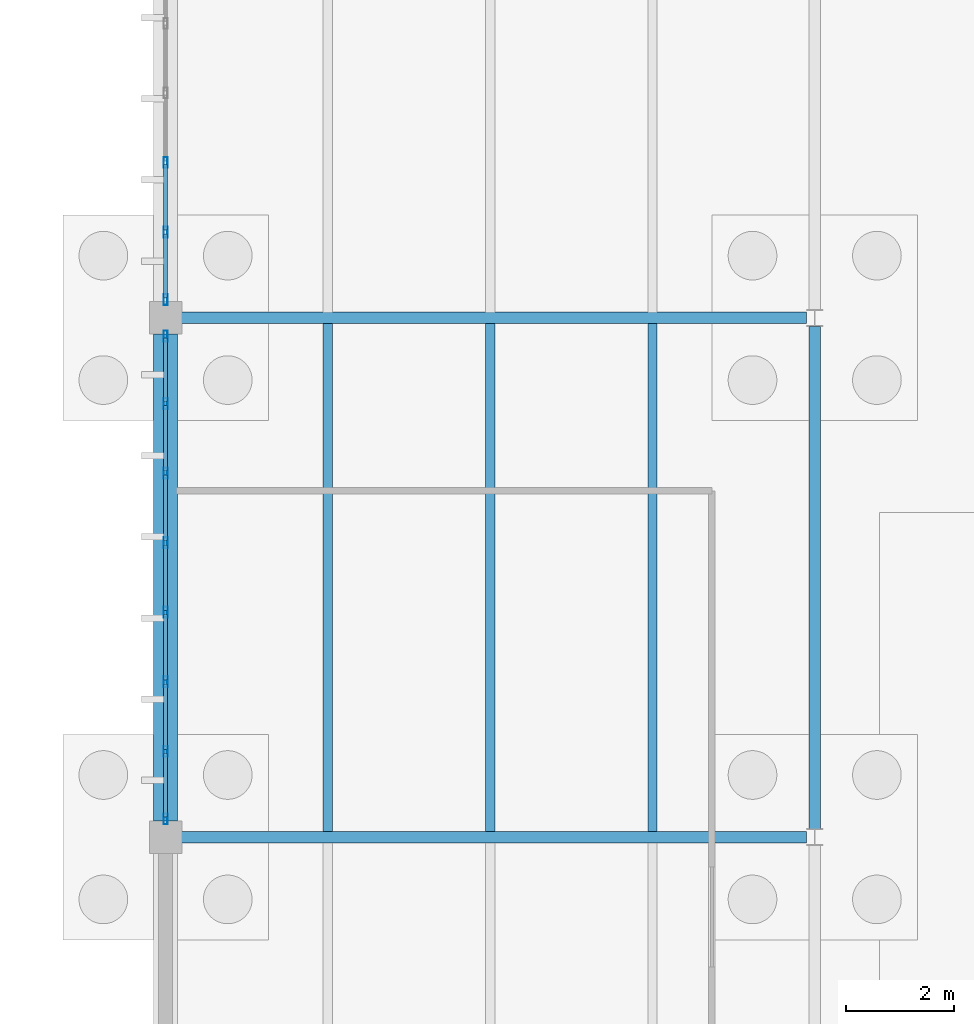
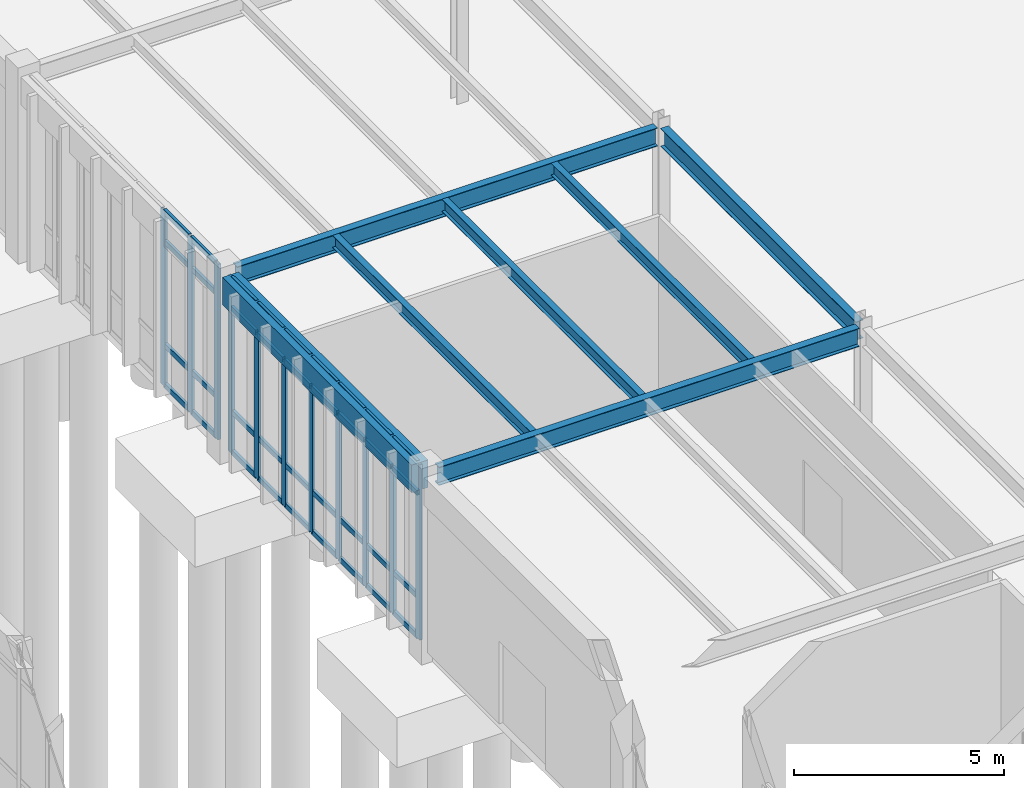
# One storey, part 52 of 188: 47 members, 7 beams, 2 elements without a shape of their own.
"""IFC4 building model written with IfcOpenShell, lengths in metres."""

from ifc_helpers import new_model, si_unit, direction, frame, origin, origin_2d, place, context, subcontext, project, spatial, rectangle, hollow_rectangle, i_section, extrude, material, layer, layer_set, material_profile, profile_set, type_object, element, aggregate, save


model = new_model("IFC4")

# Units and contexts
model_context = context("Model", 3, precision=1e-05, world=origin(), true_north=direction((0.0, 1.0)))
body_context = subcontext(model_context, "Body", "Model", "MODEL_VIEW")
ifc_project = project(units=[si_unit("LENGTHUNIT", "METRE"), si_unit("AREAUNIT", "SQUARE_METRE"), si_unit("VOLUMEUNIT", "CUBIC_METRE"), si_unit("PLANEANGLEUNIT", "RADIAN"), si_unit("MASSUNIT", "GRAM", prefix="KILO")], contexts=[model_context])

# Site, building, storey
site_placement = place(None, origin())
site = spatial("IfcSite", under=ifc_project, at=site_placement, CompositionType="ELEMENT")
building_placement = place(site_placement, origin())
building = spatial("IfcBuilding", under=site, at=building_placement, Name="Pandanus Reach Market Hall", CompositionType="ELEMENT")
storey_placement = place(building_placement, origin())
storey = spatial("IfcBuildingStorey", under=building, at=storey_placement, Name="L00", CompositionType="ELEMENT", Elevation=0.0)

# Beams
ifc_material_1 = material(Name="Concrete N40 (40 MPa)", Category="concrete")
ifc_material_profile_1 = material_profile(ifc_material_1, rectangle(XDim=0.449951171875, YDim=0.800048828125, at=origin_2d()), Name="RC450x800", Category="LoadBearing")
ifc_profile_set_1 = profile_set([ifc_material_profile_1], Name="Concrete N40 (40 MPa)")
beam_type_1 = type_object("IfcBeamType", Name="BM-RC450-E", PredefinedType="SPANDREL", material=ifc_profile_set_1)
beam_1_placement = place(storey_placement, frame((48.0, 48.298095703125, 4.719970703125), z_axis=(0.0, 1.0, 0.0), x_axis=(-1.0, 0.0, 0.0)))
element("IfcBeam", 1, at=beam_1_placement, inside=storey, type_object=beam_type_1, Name="Framing beam BM-RC450-E L00.1090", PredefinedType="SPANDREL", context=body_context, shape_type="SweptSolid", body=[
    extrude(rectangle(XDim=0.449951171875, YDim=0.800048828125, at=origin_2d()), origin(), (0.0, 0.0, 1.0), 9.00390625),
])
ifc_material_2 = material(Name="Steel Grade 350 (350 MPa)", Category="steel")
ifc_material_profile_2 = material_profile(ifc_material_2, i_section(OverallWidth=0.208984375, OverallDepth=0.532958984375, WebThickness=0.01025390625, FlangeThickness=0.015625, at=origin_2d()), Name="530UB92.4", Category="LoadBearing")
ifc_profile_set_2 = profile_set([ifc_material_profile_2], Name="Steel Grade 350 (350 MPa)")
beam_type_2 = type_object("IfcBeamType", Name="BM-UB530-I", PredefinedType="BEAM", material=ifc_profile_set_2)
for number, where, z_axis, x_axis, name in (
    (2, (48.298095703125, 48.0, 4.85302734375), (1.0, 0.0, 0.0), (0.0, 1.0, 0.0), "Framing beam BM-UB530-I L00.1082"),
    (3, (48.298095703125, 57.60009765625, 4.85302734375), (1.0, 0.0, 0.0), (0.0, 1.0, 0.0), "Framing beam BM-UB530-I L00.1083"),
):
    element("IfcBeam", number, at=place(storey_placement, frame(where, z_axis=z_axis, x_axis=x_axis)), inside=storey, type_object=beam_type_2, Name=name, PredefinedType="BEAM", context=body_context, shape_type="SweptSolid", body=[
        extrude(i_section(OverallWidth=0.208984375, OverallDepth=0.532958984375, WebThickness=0.01025390625, FlangeThickness=0.015625, at=origin_2d()), origin(), (0.0, 0.0, 1.0), 11.54638671875),
    ])
beam_2_placement = place(storey_placement, frame((60.0, 48.155517578125, 4.85302734375), z_axis=(0.0, 1.0, 0.0), x_axis=(-1.0, 0.0, 0.0)))
element("IfcBeam", 4, at=beam_2_placement, inside=storey, type_object=beam_type_2, Name="Framing beam BM-UB530-I L00.1091", PredefinedType="BEAM", context=body_context, shape_type="SweptSolid", body=[
    extrude(i_section(OverallWidth=0.208984375, OverallDepth=0.532958984375, WebThickness=0.01025390625, FlangeThickness=0.015625, at=origin_2d()), origin(), (0.0, 0.0, 1.0), 9.2890625),
])

# Curtain wall, members
ifc_material_3 = material(Name="Bronze anodised aluminium and low-E glass", Category="aluminium")
ifc_layer = layer(ifc_material_3, 0.199951171875, Name="CW-06")
ifc_layer_set = layer_set([ifc_layer], Name="Bronze anodised aluminium and low-E glass")
curtain_wall_type = type_object("IfcCurtainWallType", Name="CW-06", PredefinedType="NOTDEFINED", material=ifc_layer_set)
curtain_wall_1_placement = place(storey_placement, origin())
curtain_wall_1 = element("IfcCurtainWall", 5, at=curtain_wall_1_placement, inside=storey, type_object=curtain_wall_type, Name="Glazed curtain wall CW-06 CW-0024", PredefinedType="NOTDEFINED")
ifc_material_4 = material(Name="Bronze anodised aluminium", Category="aluminium")
ifc_material_profile_3 = material_profile(ifc_material_4, hollow_rectangle(XDim=0.074951171875, YDim=0.199951171875, WallThickness=0.00439453125, at=origin_2d()), Name="ALU75x200", Category="LoadBearing")
ifc_profile_set_3 = profile_set([ifc_material_profile_3], Name="Bronze anodised aluminium")
member_type_1 = type_object("IfcMemberType", Name="CW-M2", PredefinedType="MULLION", material=ifc_profile_set_3)
member_1_placement = place(storey_placement, frame((48.0, 48.33740234375, 0.0), z_axis=(0.0, 0.0, 1.0), x_axis=(-1.0, 0.0, 0.0)))
member_1 = element("IfcMember", 6, at=member_1_placement, type_object=member_type_1, Name="CW-06 mullion 1", PredefinedType="MULLION", context=body_context, shape_type="SweptSolid", body=[
    extrude(hollow_rectangle(XDim=0.074951171875, YDim=0.199951171875, WallThickness=0.00439453125, at=origin_2d()), origin(), (0.0, 0.0, 1.0), 5.10009765625),
])
member_2_placement = place(storey_placement, frame((48.0, 49.585693359375, 0.0), z_axis=(0.0, 0.0, 1.0), x_axis=(-1.0, 0.0, 0.0)))
member_2 = element("IfcMember", 7, at=member_2_placement, type_object=member_type_1, Name="CW-06 mullion 2", PredefinedType="MULLION", context=body_context, shape_type="SweptSolid", body=[
    extrude(hollow_rectangle(XDim=0.074951171875, YDim=0.199951171875, WallThickness=0.00439453125, at=origin_2d()), origin(), (0.0, 0.0, 1.0), 5.10009765625),
])
member_3_placement = place(storey_placement, frame((48.0, 50.871337890625, 0.0), z_axis=(0.0, 0.0, 1.0), x_axis=(-1.0, 0.0, 0.0)))
member_3 = element("IfcMember", 8, at=member_3_placement, type_object=member_type_1, Name="CW-06 mullion 3", PredefinedType="MULLION", context=body_context, shape_type="SweptSolid", body=[
    extrude(hollow_rectangle(XDim=0.074951171875, YDim=0.199951171875, WallThickness=0.00439453125, at=origin_2d()), origin(), (0.0, 0.0, 1.0), 5.10009765625),
])
member_4_placement = place(storey_placement, frame((48.0, 52.1572265625, 0.0), z_axis=(0.0, 0.0, 1.0), x_axis=(-1.0, 0.0, 0.0)))
member_4 = element("IfcMember", 9, at=member_4_placement, type_object=member_type_1, Name="CW-06 mullion 4", PredefinedType="MULLION", context=body_context, shape_type="SweptSolid", body=[
    extrude(hollow_rectangle(XDim=0.074951171875, YDim=0.199951171875, WallThickness=0.00439453125, at=origin_2d()), origin(), (0.0, 0.0, 1.0), 5.10009765625),
])
member_5_placement = place(storey_placement, frame((48.0, 53.44287109375, 0.0), z_axis=(0.0, 0.0, 1.0), x_axis=(-1.0, 0.0, 0.0)))
member_5 = element("IfcMember", 10, at=member_5_placement, type_object=member_type_1, Name="CW-06 mullion 5", PredefinedType="MULLION", context=body_context, shape_type="SweptSolid", body=[
    extrude(hollow_rectangle(XDim=0.074951171875, YDim=0.199951171875, WallThickness=0.00439453125, at=origin_2d()), origin(), (0.0, 0.0, 1.0), 5.10009765625),
])
member_6_placement = place(storey_placement, frame((48.0, 54.728515625, 0.0), z_axis=(0.0, 0.0, 1.0), x_axis=(-1.0, 0.0, 0.0)))
member_6 = element("IfcMember", 11, at=member_6_placement, type_object=member_type_1, Name="CW-06 mullion 6", PredefinedType="MULLION", context=body_context, shape_type="SweptSolid", body=[
    extrude(hollow_rectangle(XDim=0.074951171875, YDim=0.199951171875, WallThickness=0.00439453125, at=origin_2d()), origin(), (0.0, 0.0, 1.0), 5.10009765625),
])
member_7_placement = place(storey_placement, frame((48.0, 56.014404296875, 0.0), z_axis=(0.0, 0.0, 1.0), x_axis=(-1.0, 0.0, 0.0)))
member_7 = element("IfcMember", 12, at=member_7_placement, type_object=member_type_1, Name="CW-06 mullion 7", PredefinedType="MULLION", context=body_context, shape_type="SweptSolid", body=[
    extrude(hollow_rectangle(XDim=0.074951171875, YDim=0.199951171875, WallThickness=0.00439453125, at=origin_2d()), origin(), (0.0, 0.0, 1.0), 5.10009765625),
])
member_8_placement = place(storey_placement, frame((48.0, 57.262451171875, 0.0), z_axis=(0.0, 0.0, 1.0), x_axis=(-1.0, 0.0, 0.0)))
member_8 = element("IfcMember", 13, at=member_8_placement, type_object=member_type_1, Name="CW-06 mullion 8", PredefinedType="MULLION", context=body_context, shape_type="SweptSolid", body=[
    extrude(hollow_rectangle(XDim=0.074951171875, YDim=0.199951171875, WallThickness=0.00439453125, at=origin_2d()), origin(), (0.0, 0.0, 1.0), 5.10009765625),
])

curtain_wall_2_placement = place(storey_placement, origin())
curtain_wall_2 = element("IfcCurtainWall", 14, at=curtain_wall_2_placement, inside=storey, type_object=curtain_wall_type, Name="Glazed curtain wall CW-06 CW-0028", PredefinedType="NOTDEFINED")
member_9_placement = place(storey_placement, frame((48.0, 57.9375, 0.0), z_axis=(0.0, 0.0, 1.0), x_axis=(-1.0, 0.0, 0.0)))
member_9 = element("IfcMember", 15, at=member_9_placement, type_object=member_type_1, Name="CW-06 mullion 1", PredefinedType="MULLION", context=body_context, shape_type="SweptSolid", body=[
    extrude(hollow_rectangle(XDim=0.074951171875, YDim=0.199951171875, WallThickness=0.00439453125, at=origin_2d()), origin(), (0.0, 0.0, 1.0), 5.10009765625),
])
member_10_placement = place(storey_placement, frame((48.0, 59.185791015625, 0.0), z_axis=(0.0, 0.0, 1.0), x_axis=(-1.0, 0.0, 0.0)))
member_10 = element("IfcMember", 16, at=member_10_placement, type_object=member_type_1, Name="CW-06 mullion 2", PredefinedType="MULLION", context=body_context, shape_type="SweptSolid", body=[
    extrude(hollow_rectangle(XDim=0.074951171875, YDim=0.199951171875, WallThickness=0.00439453125, at=origin_2d()), origin(), (0.0, 0.0, 1.0), 5.10009765625),
])
member_11_placement = place(storey_placement, frame((48.0, 60.471435546875, 0.0), z_axis=(0.0, 0.0, 1.0), x_axis=(-1.0, 0.0, 0.0)))
member_11 = element("IfcMember", 17, at=member_11_placement, type_object=member_type_1, Name="CW-06 mullion 3", PredefinedType="MULLION", context=body_context, shape_type="SweptSolid", body=[
    extrude(hollow_rectangle(XDim=0.074951171875, YDim=0.199951171875, WallThickness=0.00439453125, at=origin_2d()), origin(), (0.0, 0.0, 1.0), 5.10009765625),
])

# Member
ifc_material_profile_4 = material_profile(ifc_material_4, hollow_rectangle(XDim=0.074951171875, YDim=0.14990234375, WallThickness=0.00439453125, at=origin_2d()), Name="ALU75x150", Category="LoadBearing")
ifc_profile_set_4 = profile_set([ifc_material_profile_4], Name="Bronze anodised aluminium")
member_type_2 = type_object("IfcMemberType", Name="CW-T2", PredefinedType="USERDEFINED", material=ifc_profile_set_4)
member_12_placement = place(storey_placement, frame((48.0, 48.375, 0.03759765625), z_axis=(0.0, 1.0, 0.0), x_axis=(-1.0, 0.0, 0.0)))
member_12 = element("IfcMember", 18, at=member_12_placement, type_object=member_type_2, Name="CW-06 transom 1.1", ObjectType="TRANSOM", PredefinedType="USERDEFINED", context=body_context, shape_type="SweptSolid", body=[
    extrude(hollow_rectangle(XDim=0.074951171875, YDim=0.14990234375, WallThickness=0.00439453125, at=origin_2d()), origin(), (0.0, 0.0, 1.0), 1.173095703125),
])

member_13_placement = place(storey_placement, frame((48.0, 48.375, 1.199951171875), z_axis=(0.0, 1.0, 0.0), x_axis=(-1.0, 0.0, 0.0)))
member_13 = element("IfcMember", 19, at=member_13_placement, type_object=member_type_2, Name="CW-06 transom 1.2", ObjectType="TRANSOM", PredefinedType="USERDEFINED", context=body_context, shape_type="SweptSolid", body=[
    extrude(hollow_rectangle(XDim=0.074951171875, YDim=0.14990234375, WallThickness=0.00439453125, at=origin_2d()), origin(), (0.0, 0.0, 1.0), 1.173095703125),
])

member_14_placement = place(storey_placement, frame((48.0, 48.375, 4.199951171875), z_axis=(0.0, 1.0, 0.0), x_axis=(-1.0, 0.0, 0.0)))
member_14 = element("IfcMember", 20, at=member_14_placement, type_object=member_type_2, Name="CW-06 transom 1.3", ObjectType="TRANSOM", PredefinedType="USERDEFINED", context=body_context, shape_type="SweptSolid", body=[
    extrude(hollow_rectangle(XDim=0.074951171875, YDim=0.14990234375, WallThickness=0.00439453125, at=origin_2d()), origin(), (0.0, 0.0, 1.0), 1.173095703125),
])

member_15_placement = place(storey_placement, frame((48.0, 48.375, 5.0625), z_axis=(0.0, 1.0, 0.0), x_axis=(-1.0, 0.0, 0.0)))
member_15 = element("IfcMember", 21, at=member_15_placement, type_object=member_type_2, Name="CW-06 transom 1.4", ObjectType="TRANSOM", PredefinedType="USERDEFINED", context=body_context, shape_type="SweptSolid", body=[
    extrude(hollow_rectangle(XDim=0.074951171875, YDim=0.14990234375, WallThickness=0.00439453125, at=origin_2d()), origin(), (0.0, 0.0, 1.0), 1.173095703125),
])

member_16_placement = place(storey_placement, frame((48.0, 49.623291015625, 0.03759765625), z_axis=(0.0, 1.0, 0.0), x_axis=(-1.0, 0.0, 0.0)))
member_16 = element("IfcMember", 22, at=member_16_placement, type_object=member_type_2, Name="CW-06 transom 2.1", ObjectType="TRANSOM", PredefinedType="USERDEFINED", context=body_context, shape_type="SweptSolid", body=[
    extrude(hollow_rectangle(XDim=0.074951171875, YDim=0.14990234375, WallThickness=0.00439453125, at=origin_2d()), origin(), (0.0, 0.0, 1.0), 1.210693359375),
])

member_17_placement = place(storey_placement, frame((48.0, 49.623291015625, 1.199951171875), z_axis=(0.0, 1.0, 0.0), x_axis=(-1.0, 0.0, 0.0)))
member_17 = element("IfcMember", 23, at=member_17_placement, type_object=member_type_2, Name="CW-06 transom 2.2", ObjectType="TRANSOM", PredefinedType="USERDEFINED", context=body_context, shape_type="SweptSolid", body=[
    extrude(hollow_rectangle(XDim=0.074951171875, YDim=0.14990234375, WallThickness=0.00439453125, at=origin_2d()), origin(), (0.0, 0.0, 1.0), 1.210693359375),
])

member_18_placement = place(storey_placement, frame((48.0, 49.623291015625, 4.199951171875), z_axis=(0.0, 1.0, 0.0), x_axis=(-1.0, 0.0, 0.0)))
member_18 = element("IfcMember", 24, at=member_18_placement, type_object=member_type_2, Name="CW-06 transom 2.3", ObjectType="TRANSOM", PredefinedType="USERDEFINED", context=body_context, shape_type="SweptSolid", body=[
    extrude(hollow_rectangle(XDim=0.074951171875, YDim=0.14990234375, WallThickness=0.00439453125, at=origin_2d()), origin(), (0.0, 0.0, 1.0), 1.210693359375),
])

member_19_placement = place(storey_placement, frame((48.0, 49.623291015625, 5.0625), z_axis=(0.0, 1.0, 0.0), x_axis=(-1.0, 0.0, 0.0)))
member_19 = element("IfcMember", 25, at=member_19_placement, type_object=member_type_2, Name="CW-06 transom 2.4", ObjectType="TRANSOM", PredefinedType="USERDEFINED", context=body_context, shape_type="SweptSolid", body=[
    extrude(hollow_rectangle(XDim=0.074951171875, YDim=0.14990234375, WallThickness=0.00439453125, at=origin_2d()), origin(), (0.0, 0.0, 1.0), 1.210693359375),
])

member_20_placement = place(storey_placement, frame((48.0, 50.908935546875, 0.03759765625), z_axis=(0.0, 1.0, 0.0), x_axis=(-1.0, 0.0, 0.0)))
member_20 = element("IfcMember", 26, at=member_20_placement, type_object=member_type_2, Name="CW-06 transom 3.1", ObjectType="TRANSOM", PredefinedType="USERDEFINED", context=body_context, shape_type="SweptSolid", body=[
    extrude(hollow_rectangle(XDim=0.074951171875, YDim=0.14990234375, WallThickness=0.00439453125, at=origin_2d()), origin(), (0.0, 0.0, 1.0), 1.210693359375),
])

member_21_placement = place(storey_placement, frame((48.0, 50.908935546875, 1.199951171875), z_axis=(0.0, 1.0, 0.0), x_axis=(-1.0, 0.0, 0.0)))
member_21 = element("IfcMember", 27, at=member_21_placement, type_object=member_type_2, Name="CW-06 transom 3.2", ObjectType="TRANSOM", PredefinedType="USERDEFINED", context=body_context, shape_type="SweptSolid", body=[
    extrude(hollow_rectangle(XDim=0.074951171875, YDim=0.14990234375, WallThickness=0.00439453125, at=origin_2d()), origin(), (0.0, 0.0, 1.0), 1.210693359375),
])

member_22_placement = place(storey_placement, frame((48.0, 50.908935546875, 4.199951171875), z_axis=(0.0, 1.0, 0.0), x_axis=(-1.0, 0.0, 0.0)))
member_22 = element("IfcMember", 28, at=member_22_placement, type_object=member_type_2, Name="CW-06 transom 3.3", ObjectType="TRANSOM", PredefinedType="USERDEFINED", context=body_context, shape_type="SweptSolid", body=[
    extrude(hollow_rectangle(XDim=0.074951171875, YDim=0.14990234375, WallThickness=0.00439453125, at=origin_2d()), origin(), (0.0, 0.0, 1.0), 1.210693359375),
])

member_23_placement = place(storey_placement, frame((48.0, 50.908935546875, 5.0625), z_axis=(0.0, 1.0, 0.0), x_axis=(-1.0, 0.0, 0.0)))
member_23 = element("IfcMember", 29, at=member_23_placement, type_object=member_type_2, Name="CW-06 transom 3.4", ObjectType="TRANSOM", PredefinedType="USERDEFINED", context=body_context, shape_type="SweptSolid", body=[
    extrude(hollow_rectangle(XDim=0.074951171875, YDim=0.14990234375, WallThickness=0.00439453125, at=origin_2d()), origin(), (0.0, 0.0, 1.0), 1.210693359375),
])

member_24_placement = place(storey_placement, frame((48.0, 52.194580078125, 0.03759765625), z_axis=(0.0, 1.0, 0.0), x_axis=(-1.0, 0.0, 0.0)))
member_24 = element("IfcMember", 30, at=member_24_placement, type_object=member_type_2, Name="CW-06 transom 4.1", ObjectType="TRANSOM", PredefinedType="USERDEFINED", context=body_context, shape_type="SweptSolid", body=[
    extrude(hollow_rectangle(XDim=0.074951171875, YDim=0.14990234375, WallThickness=0.00439453125, at=origin_2d()), origin(), (0.0, 0.0, 1.0), 1.210693359375),
])

member_25_placement = place(storey_placement, frame((48.0, 52.194580078125, 1.199951171875), z_axis=(0.0, 1.0, 0.0), x_axis=(-1.0, 0.0, 0.0)))
member_25 = element("IfcMember", 31, at=member_25_placement, type_object=member_type_2, Name="CW-06 transom 4.2", ObjectType="TRANSOM", PredefinedType="USERDEFINED", context=body_context, shape_type="SweptSolid", body=[
    extrude(hollow_rectangle(XDim=0.074951171875, YDim=0.14990234375, WallThickness=0.00439453125, at=origin_2d()), origin(), (0.0, 0.0, 1.0), 1.210693359375),
])

member_26_placement = place(storey_placement, frame((48.0, 52.194580078125, 4.199951171875), z_axis=(0.0, 1.0, 0.0), x_axis=(-1.0, 0.0, 0.0)))
member_26 = element("IfcMember", 32, at=member_26_placement, type_object=member_type_2, Name="CW-06 transom 4.3", ObjectType="TRANSOM", PredefinedType="USERDEFINED", context=body_context, shape_type="SweptSolid", body=[
    extrude(hollow_rectangle(XDim=0.074951171875, YDim=0.14990234375, WallThickness=0.00439453125, at=origin_2d()), origin(), (0.0, 0.0, 1.0), 1.210693359375),
])

member_27_placement = place(storey_placement, frame((48.0, 52.194580078125, 5.0625), z_axis=(0.0, 1.0, 0.0), x_axis=(-1.0, 0.0, 0.0)))
member_27 = element("IfcMember", 33, at=member_27_placement, type_object=member_type_2, Name="CW-06 transom 4.4", ObjectType="TRANSOM", PredefinedType="USERDEFINED", context=body_context, shape_type="SweptSolid", body=[
    extrude(hollow_rectangle(XDim=0.074951171875, YDim=0.14990234375, WallThickness=0.00439453125, at=origin_2d()), origin(), (0.0, 0.0, 1.0), 1.210693359375),
])

member_28_placement = place(storey_placement, frame((48.0, 53.48046875, 0.03759765625), z_axis=(0.0, 1.0, 0.0), x_axis=(-1.0, 0.0, 0.0)))
member_28 = element("IfcMember", 34, at=member_28_placement, type_object=member_type_2, Name="CW-06 transom 5.1", ObjectType="TRANSOM", PredefinedType="USERDEFINED", context=body_context, shape_type="SweptSolid", body=[
    extrude(hollow_rectangle(XDim=0.074951171875, YDim=0.14990234375, WallThickness=0.00439453125, at=origin_2d()), origin(), (0.0, 0.0, 1.0), 1.210693359375),
])

member_29_placement = place(storey_placement, frame((48.0, 53.48046875, 1.199951171875), z_axis=(0.0, 1.0, 0.0), x_axis=(-1.0, 0.0, 0.0)))
member_29 = element("IfcMember", 35, at=member_29_placement, type_object=member_type_2, Name="CW-06 transom 5.2", ObjectType="TRANSOM", PredefinedType="USERDEFINED", context=body_context, shape_type="SweptSolid", body=[
    extrude(hollow_rectangle(XDim=0.074951171875, YDim=0.14990234375, WallThickness=0.00439453125, at=origin_2d()), origin(), (0.0, 0.0, 1.0), 1.210693359375),
])

member_30_placement = place(storey_placement, frame((48.0, 53.48046875, 4.199951171875), z_axis=(0.0, 1.0, 0.0), x_axis=(-1.0, 0.0, 0.0)))
member_30 = element("IfcMember", 36, at=member_30_placement, type_object=member_type_2, Name="CW-06 transom 5.3", ObjectType="TRANSOM", PredefinedType="USERDEFINED", context=body_context, shape_type="SweptSolid", body=[
    extrude(hollow_rectangle(XDim=0.074951171875, YDim=0.14990234375, WallThickness=0.00439453125, at=origin_2d()), origin(), (0.0, 0.0, 1.0), 1.210693359375),
])

member_31_placement = place(storey_placement, frame((48.0, 53.48046875, 5.0625), z_axis=(0.0, 1.0, 0.0), x_axis=(-1.0, 0.0, 0.0)))
member_31 = element("IfcMember", 37, at=member_31_placement, type_object=member_type_2, Name="CW-06 transom 5.4", ObjectType="TRANSOM", PredefinedType="USERDEFINED", context=body_context, shape_type="SweptSolid", body=[
    extrude(hollow_rectangle(XDim=0.074951171875, YDim=0.14990234375, WallThickness=0.00439453125, at=origin_2d()), origin(), (0.0, 0.0, 1.0), 1.210693359375),
])

member_32_placement = place(storey_placement, frame((48.0, 54.76611328125, 0.03759765625), z_axis=(0.0, 1.0, 0.0), x_axis=(-1.0, 0.0, 0.0)))
member_32 = element("IfcMember", 38, at=member_32_placement, type_object=member_type_2, Name="CW-06 transom 6.1", ObjectType="TRANSOM", PredefinedType="USERDEFINED", context=body_context, shape_type="SweptSolid", body=[
    extrude(hollow_rectangle(XDim=0.074951171875, YDim=0.14990234375, WallThickness=0.00439453125, at=origin_2d()), origin(), (0.0, 0.0, 1.0), 1.210693359375),
])

member_33_placement = place(storey_placement, frame((48.0, 54.76611328125, 1.199951171875), z_axis=(0.0, 1.0, 0.0), x_axis=(-1.0, 0.0, 0.0)))
member_33 = element("IfcMember", 39, at=member_33_placement, type_object=member_type_2, Name="CW-06 transom 6.2", ObjectType="TRANSOM", PredefinedType="USERDEFINED", context=body_context, shape_type="SweptSolid", body=[
    extrude(hollow_rectangle(XDim=0.074951171875, YDim=0.14990234375, WallThickness=0.00439453125, at=origin_2d()), origin(), (0.0, 0.0, 1.0), 1.210693359375),
])

member_34_placement = place(storey_placement, frame((48.0, 54.76611328125, 4.199951171875), z_axis=(0.0, 1.0, 0.0), x_axis=(-1.0, 0.0, 0.0)))
member_34 = element("IfcMember", 40, at=member_34_placement, type_object=member_type_2, Name="CW-06 transom 6.3", ObjectType="TRANSOM", PredefinedType="USERDEFINED", context=body_context, shape_type="SweptSolid", body=[
    extrude(hollow_rectangle(XDim=0.074951171875, YDim=0.14990234375, WallThickness=0.00439453125, at=origin_2d()), origin(), (0.0, 0.0, 1.0), 1.210693359375),
])

member_35_placement = place(storey_placement, frame((48.0, 54.76611328125, 5.0625), z_axis=(0.0, 1.0, 0.0), x_axis=(-1.0, 0.0, 0.0)))
member_35 = element("IfcMember", 41, at=member_35_placement, type_object=member_type_2, Name="CW-06 transom 6.4", ObjectType="TRANSOM", PredefinedType="USERDEFINED", context=body_context, shape_type="SweptSolid", body=[
    extrude(hollow_rectangle(XDim=0.074951171875, YDim=0.14990234375, WallThickness=0.00439453125, at=origin_2d()), origin(), (0.0, 0.0, 1.0), 1.210693359375),
])

member_36_placement = place(storey_placement, frame((48.0, 56.0517578125, 0.03759765625), z_axis=(0.0, 1.0, 0.0), x_axis=(-1.0, 0.0, 0.0)))
member_36 = element("IfcMember", 42, at=member_36_placement, type_object=member_type_2, Name="CW-06 transom 7.1", ObjectType="TRANSOM", PredefinedType="USERDEFINED", context=body_context, shape_type="SweptSolid", body=[
    extrude(hollow_rectangle(XDim=0.074951171875, YDim=0.14990234375, WallThickness=0.00439453125, at=origin_2d()), origin(), (0.0, 0.0, 1.0), 1.17333984375),
])

member_37_placement = place(storey_placement, frame((48.0, 56.0517578125, 1.199951171875), z_axis=(0.0, 1.0, 0.0), x_axis=(-1.0, 0.0, 0.0)))
member_37 = element("IfcMember", 43, at=member_37_placement, type_object=member_type_2, Name="CW-06 transom 7.2", ObjectType="TRANSOM", PredefinedType="USERDEFINED", context=body_context, shape_type="SweptSolid", body=[
    extrude(hollow_rectangle(XDim=0.074951171875, YDim=0.14990234375, WallThickness=0.00439453125, at=origin_2d()), origin(), (0.0, 0.0, 1.0), 1.17333984375),
])

member_38_placement = place(storey_placement, frame((48.0, 56.0517578125, 4.199951171875), z_axis=(0.0, 1.0, 0.0), x_axis=(-1.0, 0.0, 0.0)))
member_38 = element("IfcMember", 44, at=member_38_placement, type_object=member_type_2, Name="CW-06 transom 7.3", ObjectType="TRANSOM", PredefinedType="USERDEFINED", context=body_context, shape_type="SweptSolid", body=[
    extrude(hollow_rectangle(XDim=0.074951171875, YDim=0.14990234375, WallThickness=0.00439453125, at=origin_2d()), origin(), (0.0, 0.0, 1.0), 1.17333984375),
])

member_39_placement = place(storey_placement, frame((48.0, 56.0517578125, 5.0625), z_axis=(0.0, 1.0, 0.0), x_axis=(-1.0, 0.0, 0.0)))
member_39 = element("IfcMember", 45, at=member_39_placement, type_object=member_type_2, Name="CW-06 transom 7.4", ObjectType="TRANSOM", PredefinedType="USERDEFINED", context=body_context, shape_type="SweptSolid", body=[
    extrude(hollow_rectangle(XDim=0.074951171875, YDim=0.14990234375, WallThickness=0.00439453125, at=origin_2d()), origin(), (0.0, 0.0, 1.0), 1.17333984375),
])

aggregate(curtain_wall_1, [member_1, member_2, member_3, member_4, member_5, member_6, member_7, member_8, member_12, member_13, member_14, member_15, member_16, member_17, member_18, member_19, member_20, member_21, member_22, member_23, member_24, member_25, member_26, member_27, member_28, member_29, member_30, member_31, member_32, member_33, member_34, member_35, member_36, member_37, member_38, member_39])

member_40_placement = place(storey_placement, frame((48.0, 57.97509765625, 0.03759765625), z_axis=(0.0, 1.0, 0.0), x_axis=(-1.0, 0.0, 0.0)))
member_40 = element("IfcMember", 46, at=member_40_placement, type_object=member_type_2, Name="CW-06 transom 1.1", ObjectType="TRANSOM", PredefinedType="USERDEFINED", context=body_context, shape_type="SweptSolid", body=[
    extrude(hollow_rectangle(XDim=0.074951171875, YDim=0.14990234375, WallThickness=0.00439453125, at=origin_2d()), origin(), (0.0, 0.0, 1.0), 1.173095703125),
])

member_41_placement = place(storey_placement, frame((48.0, 57.97509765625, 1.199951171875), z_axis=(0.0, 1.0, 0.0), x_axis=(-1.0, 0.0, 0.0)))
member_41 = element("IfcMember", 47, at=member_41_placement, type_object=member_type_2, Name="CW-06 transom 1.2", ObjectType="TRANSOM", PredefinedType="USERDEFINED", context=body_context, shape_type="SweptSolid", body=[
    extrude(hollow_rectangle(XDim=0.074951171875, YDim=0.14990234375, WallThickness=0.00439453125, at=origin_2d()), origin(), (0.0, 0.0, 1.0), 1.173095703125),
])

member_42_placement = place(storey_placement, frame((48.0, 57.97509765625, 4.199951171875), z_axis=(0.0, 1.0, 0.0), x_axis=(-1.0, 0.0, 0.0)))
member_42 = element("IfcMember", 48, at=member_42_placement, type_object=member_type_2, Name="CW-06 transom 1.3", ObjectType="TRANSOM", PredefinedType="USERDEFINED", context=body_context, shape_type="SweptSolid", body=[
    extrude(hollow_rectangle(XDim=0.074951171875, YDim=0.14990234375, WallThickness=0.00439453125, at=origin_2d()), origin(), (0.0, 0.0, 1.0), 1.173095703125),
])

member_43_placement = place(storey_placement, frame((48.0, 57.97509765625, 5.0625), z_axis=(0.0, 1.0, 0.0), x_axis=(-1.0, 0.0, 0.0)))
member_43 = element("IfcMember", 49, at=member_43_placement, type_object=member_type_2, Name="CW-06 transom 1.4", ObjectType="TRANSOM", PredefinedType="USERDEFINED", context=body_context, shape_type="SweptSolid", body=[
    extrude(hollow_rectangle(XDim=0.074951171875, YDim=0.14990234375, WallThickness=0.00439453125, at=origin_2d()), origin(), (0.0, 0.0, 1.0), 1.173095703125),
])

member_44_placement = place(storey_placement, frame((48.0, 59.22314453125, 0.03759765625), z_axis=(0.0, 1.0, 0.0), x_axis=(-1.0, 0.0, 0.0)))
member_44 = element("IfcMember", 50, at=member_44_placement, type_object=member_type_2, Name="CW-06 transom 2.1", ObjectType="TRANSOM", PredefinedType="USERDEFINED", context=body_context, shape_type="SweptSolid", body=[
    extrude(hollow_rectangle(XDim=0.074951171875, YDim=0.14990234375, WallThickness=0.00439453125, at=origin_2d()), origin(), (0.0, 0.0, 1.0), 1.210693359375),
])

member_45_placement = place(storey_placement, frame((48.0, 59.22314453125, 1.199951171875), z_axis=(0.0, 1.0, 0.0), x_axis=(-1.0, 0.0, 0.0)))
member_45 = element("IfcMember", 51, at=member_45_placement, type_object=member_type_2, Name="CW-06 transom 2.2", ObjectType="TRANSOM", PredefinedType="USERDEFINED", context=body_context, shape_type="SweptSolid", body=[
    extrude(hollow_rectangle(XDim=0.074951171875, YDim=0.14990234375, WallThickness=0.00439453125, at=origin_2d()), origin(), (0.0, 0.0, 1.0), 1.210693359375),
])

member_46_placement = place(storey_placement, frame((48.0, 59.22314453125, 4.199951171875), z_axis=(0.0, 1.0, 0.0), x_axis=(-1.0, 0.0, 0.0)))
member_46 = element("IfcMember", 52, at=member_46_placement, type_object=member_type_2, Name="CW-06 transom 2.3", ObjectType="TRANSOM", PredefinedType="USERDEFINED", context=body_context, shape_type="SweptSolid", body=[
    extrude(hollow_rectangle(XDim=0.074951171875, YDim=0.14990234375, WallThickness=0.00439453125, at=origin_2d()), origin(), (0.0, 0.0, 1.0), 1.210693359375),
])

member_47_placement = place(storey_placement, frame((48.0, 59.22314453125, 5.0625), z_axis=(0.0, 1.0, 0.0), x_axis=(-1.0, 0.0, 0.0)))
member_47 = element("IfcMember", 53, at=member_47_placement, type_object=member_type_2, Name="CW-06 transom 2.4", ObjectType="TRANSOM", PredefinedType="USERDEFINED", context=body_context, shape_type="SweptSolid", body=[
    extrude(hollow_rectangle(XDim=0.074951171875, YDim=0.14990234375, WallThickness=0.00439453125, at=origin_2d()), origin(), (0.0, 0.0, 1.0), 1.210693359375),
])

aggregate(curtain_wall_2, [member_9, member_10, member_11, member_40, member_41, member_42, member_43, member_44, member_45, member_46, member_47])

# Beams
ifc_material_profile_5 = material_profile(ifc_material_2, i_section(OverallWidth=0.1708984375, OverallDepth=0.35595703125, WebThickness=0.00732421875, FlangeThickness=0.011474609375, at=origin_2d()), Name="360UB50.7", Category="LoadBearing")
ifc_profile_set_5 = profile_set([ifc_material_profile_5], Name="Steel Grade 350 (350 MPa)")
beam_type_3 = type_object("IfcBeamType", Name="JS-UB360-I", PredefinedType="JOIST", material=ifc_profile_set_5)
for number, where, z_axis, x_axis, name in (
    (54, (51.0, 48.1025390625, 4.941650390625), (0.0, 1.0, 0.0), (-1.0, 0.0, 0.0), "Secondary joist JS-UB360-I L00.1092"),
    (55, (54.0, 48.1025390625, 4.941650390625), (0.0, 1.0, 0.0), (-1.0, 0.0, 0.0), "Secondary joist JS-UB360-I L00.1093"),
    (56, (57.0, 48.1025390625, 4.941650390625), (0.0, 1.0, 0.0), (-1.0, 0.0, 0.0), "Secondary joist JS-UB360-I L00.1094"),
):
    element("IfcBeam", number, at=place(storey_placement, frame(where, z_axis=z_axis, x_axis=x_axis)), inside=storey, type_object=beam_type_3, Name=name, PredefinedType="JOIST", context=body_context, shape_type="SweptSolid", body=[
        extrude(i_section(OverallWidth=0.1708984375, OverallDepth=0.35595703125, WebThickness=0.00732421875, FlangeThickness=0.011474609375, at=origin_2d()), origin(), (0.0, 0.0, 1.0), 9.39501953125),
    ])

save(model, "model.ifc")
